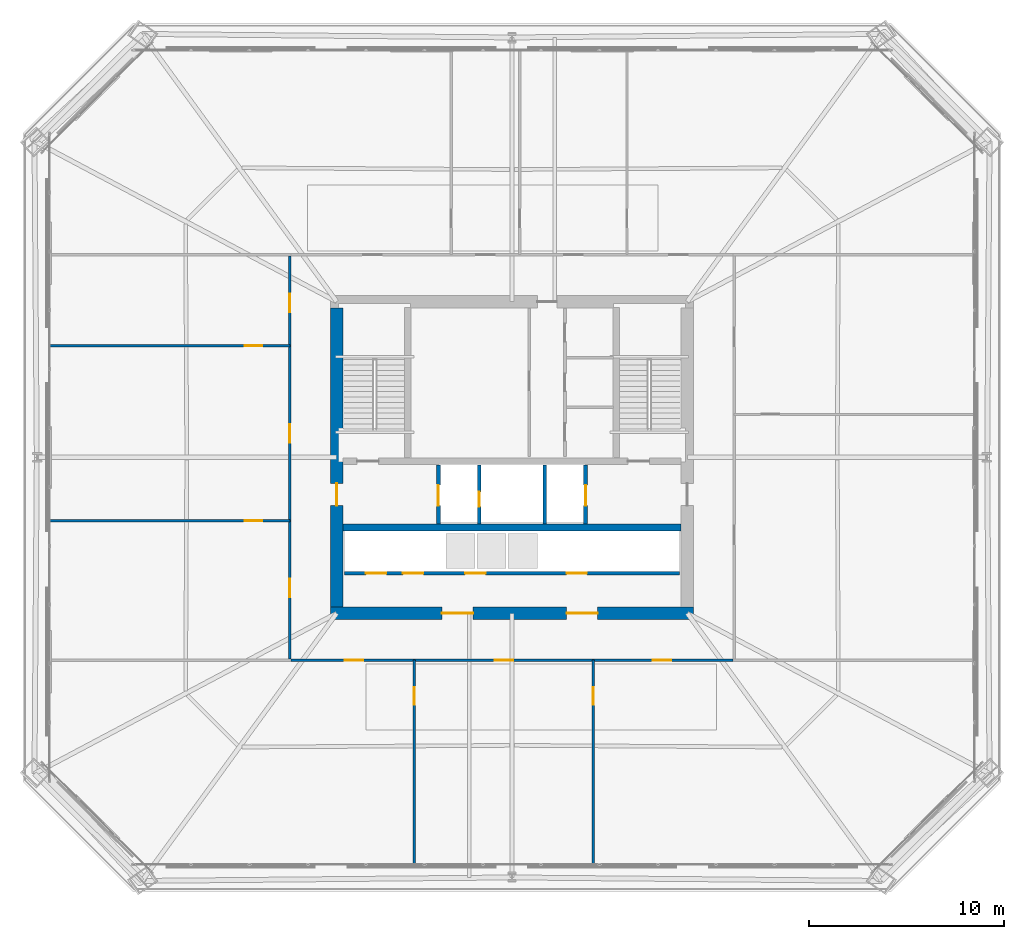
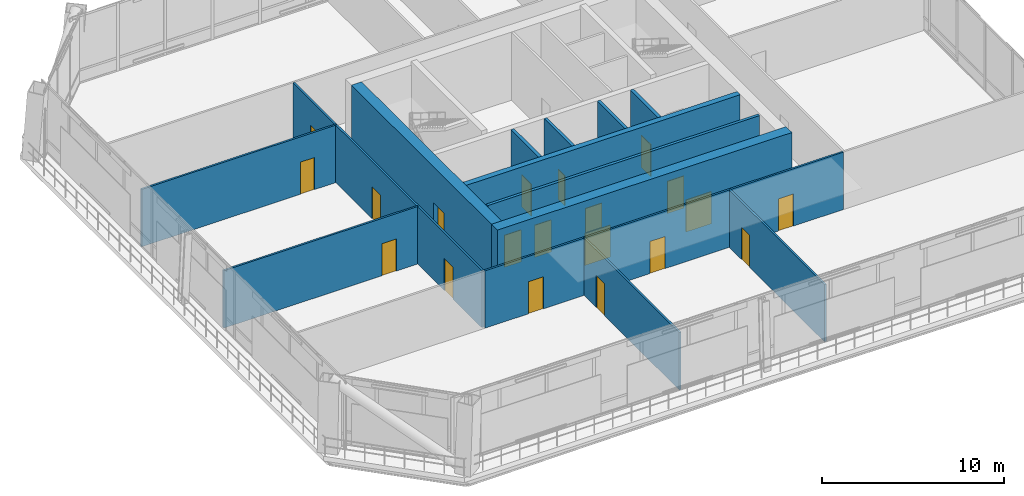
# One storey, part 42 of 48: 20 doors, 14 walls, 20 openings.
"""IFC4 building model written with IfcOpenShell, lengths in metres."""

from ifc_helpers import new_model, si_unit, direction, frame, frame_2d, origin, place, context, subcontext, project, spatial, rectangle, extrude, material, layer, layer_set, type_object, element, fill, save


model = new_model("IFC4")

# Units and contexts
model_context = context("Model", 3, precision=1e-05, world=origin(), true_north=direction((0.0, 1.0)))
body_context = subcontext(model_context, "Body", "Model", "MODEL_VIEW")
ifc_project = project(units=[si_unit("LENGTHUNIT", "METRE"), si_unit("AREAUNIT", "SQUARE_METRE"), si_unit("VOLUMEUNIT", "CUBIC_METRE"), si_unit("PLANEANGLEUNIT", "RADIAN"), si_unit("MASSUNIT", "GRAM", prefix="KILO")], contexts=[model_context])

# Site, building, storey
site_placement = place(None, origin())
site = spatial("IfcSite", under=ifc_project, at=site_placement, CompositionType="ELEMENT")
building_placement = place(site_placement, origin())
building = spatial("IfcBuilding", under=site, at=building_placement, Name="Caelvoria Tower", CompositionType="ELEMENT")
storey_placement = place(building_placement, frame((0.0, 0.0, 90.39990234375)))
storey = spatial("IfcBuildingStorey", under=building, at=storey_placement, Name="L23", CompositionType="ELEMENT", Elevation=90.39990234375)

# Wall
ifc_material_1 = material(Name="Concrete C50/60", Category="concrete")
ifc_layer_1 = layer(ifc_material_1, 0.35009765625, Name="Concrete C50/60")
ifc_layer_set_1 = layer_set([ifc_layer_1], Name="Core Internal Shear Wall 350 - Concrete C50/60")
wall_type_1 = type_object("IfcWallType", Name="Core Internal Shear Wall 350", PredefinedType="SHEAR", material=ifc_layer_set_1)
wall_1_placement = place(storey_placement, frame((37.324951171875, 28.39990234375, 0.0), z_axis=(0.0, 0.0, 1.0), x_axis=(1.0, 0.0, 0.0)))
element("IfcWall", 1, at=wall_1_placement, inside=storey, type_object=wall_type_1, Name="Core Shear Wall L23 M2", PredefinedType="SHEAR", context=body_context, shape_type="SweptSolid", body=[
    extrude(rectangle(XDim=17.35009765625, YDim=0.35009765625, at=frame_2d((8.675048828125, 0.0))), origin(), (0.0, 0.0, 1.0), 4.56005859375),
])

# Wall, opening, door
ifc_material_2 = material(Name="Concrete Block and Fireboard Assembly", Category="concrete")
ifc_layer_2 = layer(ifc_material_2, 0.179931640625, Name="Concrete Block and Fireboard Assembly")
ifc_layer_set_2 = layer_set([ifc_layer_2], Name="Fire-Rated Hoistway Partition Wall 180 - Concrete Block and Fireboard Assembly")
wall_type_2 = type_object("IfcWallType", Name="Fire-Rated Hoistway Partition Wall 180", PredefinedType="PARTITIONING", material=ifc_layer_set_2)
wall_2_placement = place(storey_placement, frame((44.320068359375, 28.580078125, 0.0), z_axis=(0.0, 0.0, 1.0), x_axis=(0.0, 1.0, 0.0)))
wall_2 = element("IfcWall", 2, at=wall_2_placement, inside=storey, type_object=wall_type_2, Name="Interior Partition IW-L23-SV1W", PredefinedType="PARTITIONING", context=body_context, shape_type="SweptSolid", body=[
    extrude(rectangle(XDim=3.0400390625, YDim=0.179931640625, at=frame_2d((1.52001953125, 0.0))), origin(), (0.0, 0.0, 1.0), 4.56005859375),
])
opening_1_placement = place(wall_2_placement, frame((0.89990234375, 0.0, 0.0)))
opening_1 = element("IfcOpeningElement", 3, at=opening_1_placement, cuts=wall_2, Name="Opening TD-01", PredefinedType="OPENING", context=body_context, shape_type="SweptSolid", body=[
    extrude(rectangle(XDim=0.75, YDim=2.0, at=frame_2d((0.375, 1.0))), frame((0.0, 0.099853515625, 0.0), z_axis=(0.0, -1.0, 0.0), x_axis=(1.0, 0.0, 0.0)), (0.0, 0.0, 1.0), 0.199951171875),
])
ifc_material_3 = material(Name="Insulated Steel Service Access Trapdoor", Category="steel")
door_type_1 = type_object("IfcDoorType", Name="Riser Maintenance Access Trapdoor 750x1850", OperationType="NOTDEFINED", PredefinedType="TRAPDOOR", material=ifc_material_3)
door_1_placement = place(opening_1_placement, origin())
door_1 = element("IfcDoor", 4, at=door_1_placement, inside=storey, type_object=door_type_1, Name="Wet Riser Access Trapdoor L23", OperationType="SINGLE_SWING_LEFT", OverallHeight=2.0, OverallWidth=0.75, PredefinedType="TRAPDOOR", context=body_context, shape_type="SweptSolid", body=[
    extrude(rectangle(XDim=0.75, YDim=2.0, at=frame_2d((0.375, 1.0))), frame((0.0, 0.02490234375, 0.0), z_axis=(0.0, -1.0, 0.0), x_axis=(1.0, 0.0, 0.0)), (0.0, 0.0, 1.0), 0.050048828125),
])
fill(opening_1, door_1)

# Wall
wall_3_placement = place(storey_placement, frame((47.679931640625, 28.580078125, 0.0), z_axis=(0.0, 0.0, 1.0), x_axis=(0.0, 1.0, 0.0)))
element("IfcWall", 5, at=wall_3_placement, inside=storey, type_object=wall_type_2, Name="Interior Partition IW-L23-SV1E", PredefinedType="PARTITIONING", context=body_context, shape_type="SweptSolid", body=[
    extrude(rectangle(XDim=3.0400390625, YDim=0.179931640625, at=frame_2d((1.52001953125, 0.0))), origin(), (0.0, 0.0, 1.0), 4.56005859375),
])

# Wall, openings, doors
wall_4_placement = place(storey_placement, frame((37.39990234375, 26.050048828125, 0.0), z_axis=(0.0, 0.0, 1.0), x_axis=(1.0, 0.0, 0.0)))
wall_4 = element("IfcWall", 6, at=wall_4_placement, inside=storey, type_object=wall_type_2, Name="Interior Partition IW-L23-LFRONT", PredefinedType="PARTITIONING", context=body_context, shape_type="SweptSolid", body=[
    extrude(rectangle(XDim=17.2001953125, YDim=0.179931640625, at=frame_2d((8.60009765625, 0.0))), origin(), (0.0, 0.0, 1.0), 4.56005859375),
])
opening_2_placement = place(wall_4_placement, frame((1.10009765625, 0.0, 0.0)))
opening_2 = element("IfcOpeningElement", 7, at=opening_2_placement, cuts=wall_4, Name="Opening LD-01", PredefinedType="OPENING", context=body_context, shape_type="SweptSolid", body=[
    extrude(rectangle(XDim=1.050048828125, YDim=2.14990234375, at=frame_2d((0.52490234375, 1.074951171875))), frame((0.0, 0.099853515625, 0.0), z_axis=(0.0, -1.0, 0.0), x_axis=(1.0, 0.0, 0.0)), (0.0, 0.0, 1.0), 0.199951171875),
])
opening_3_placement = place(wall_4_placement, frame((3.0, 0.0, 0.0)))
opening_3 = element("IfcOpeningElement", 8, at=opening_3_placement, cuts=wall_4, Name="Opening LD-01", PredefinedType="OPENING", context=body_context, shape_type="SweptSolid", body=[
    extrude(rectangle(XDim=1.050048828125, YDim=2.14990234375, at=frame_2d((0.52490234375, 1.074951171875))), frame((0.0, 0.099853515625, 0.0), z_axis=(0.0, -1.0, 0.0), x_axis=(1.0, 0.0, 0.0)), (0.0, 0.0, 1.0), 0.199951171875),
])
opening_4_placement = place(wall_4_placement, frame((11.39990234375, 0.0, 0.0)))
opening_4 = element("IfcOpeningElement", 9, at=opening_4_placement, cuts=wall_4, Name="Opening LD-01", PredefinedType="OPENING", context=body_context, shape_type="SweptSolid", body=[
    extrude(rectangle(XDim=1.050048828125, YDim=2.14990234375, at=frame_2d((0.52490234375, 1.074951171875))), frame((0.0, 0.099853515625, 0.0), z_axis=(0.0, -1.0, 0.0), x_axis=(1.0, 0.0, 0.0)), (0.0, 0.0, 1.0), 0.199951171875),
])
opening_5_placement = place(wall_4_placement, frame((6.199951171875, 0.0, 0.0)))
opening_5 = element("IfcOpeningElement", 10, at=opening_5_placement, cuts=wall_4, Name="Opening LD-01", PredefinedType="OPENING", context=body_context, shape_type="SweptSolid", body=[
    extrude(rectangle(XDim=1.050048828125, YDim=2.14990234375, at=frame_2d((0.52490234375, 1.074951171875))), frame((0.0, 0.099853515625, 0.0), z_axis=(0.0, -1.0, 0.0), x_axis=(1.0, 0.0, 0.0)), (0.0, 0.0, 1.0), 0.199951171875),
])
ifc_material_4 = material(Name="Brushed Bronze Stainless Sliding Landing Door", Category="aluminium")
door_type_2 = type_object("IfcDoorType", Name="Lift Landing Sliding Door 1100x2150", OperationType="NOTDEFINED", PredefinedType="DOOR", material=ifc_material_4)
door_2_placement = place(opening_2_placement, origin())
door_2 = element("IfcDoor", 11, at=door_2_placement, inside=storey, type_object=door_type_2, Name="Interior Door LD-L23-PL1", OperationType="SLIDING_TO_LEFT", OverallHeight=2.14990234375, OverallWidth=1.050048828125, PredefinedType="DOOR", context=body_context, shape_type="SweptSolid", body=[
    extrude(rectangle(XDim=1.050048828125, YDim=2.14990234375, at=frame_2d((0.52490234375, 1.074951171875))), frame((0.0, 0.02490234375, 0.0), z_axis=(0.0, -1.0, 0.0), x_axis=(1.0, 0.0, 0.0)), (0.0, 0.0, 1.0), 0.050048828125),
])
fill(opening_2, door_2)
door_3_placement = place(opening_3_placement, origin())
door_3 = element("IfcDoor", 12, at=door_3_placement, inside=storey, type_object=door_type_2, Name="Interior Door LD-L23-PL2", OperationType="SLIDING_TO_RIGHT", OverallHeight=2.14990234375, OverallWidth=1.050048828125, PredefinedType="DOOR", context=body_context, shape_type="SweptSolid", body=[
    extrude(rectangle(XDim=1.050048828125, YDim=2.14990234375, at=frame_2d((0.52490234375, 1.074951171875))), frame((0.0, 0.02490234375, 0.0), z_axis=(0.0, -1.0, 0.0), x_axis=(1.0, 0.0, 0.0)), (0.0, 0.0, 1.0), 0.050048828125),
])
fill(opening_3, door_3)
door_4_placement = place(opening_4_placement, origin())
door_4 = element("IfcDoor", 13, at=door_4_placement, inside=storey, type_object=door_type_2, Name="Interior Door LD-L23-PS1", OperationType="SLIDING_TO_LEFT", OverallHeight=2.14990234375, OverallWidth=1.050048828125, PredefinedType="DOOR", context=body_context, shape_type="SweptSolid", body=[
    extrude(rectangle(XDim=1.050048828125, YDim=2.14990234375, at=frame_2d((0.52490234375, 1.074951171875))), frame((0.0, 0.02490234375, 0.0), z_axis=(0.0, -1.0, 0.0), x_axis=(1.0, 0.0, 0.0)), (0.0, 0.0, 1.0), 0.050048828125),
])
fill(opening_4, door_4)
door_5_placement = place(opening_5_placement, origin())
door_5 = element("IfcDoor", 14, at=door_5_placement, inside=storey, type_object=door_type_2, Name="Interior Door LD-L23-PM1", OperationType="SLIDING_TO_LEFT", OverallHeight=2.14990234375, OverallWidth=1.050048828125, PredefinedType="DOOR", context=body_context, shape_type="SweptSolid", body=[
    extrude(rectangle(XDim=1.050048828125, YDim=2.14990234375, at=frame_2d((0.52490234375, 1.074951171875))), frame((0.0, 0.02490234375, 0.0), z_axis=(0.0, -1.0, 0.0), x_axis=(1.0, 0.0, 0.0)), (0.0, 0.0, 1.0), 0.050048828125),
])
fill(opening_5, door_5)

# Wall, opening, door
ifc_layer_3 = layer(ifc_material_2, 0.199951171875, Name="Concrete Block and Fireboard Assembly")
ifc_layer_set_3 = layer_set([ifc_layer_3], Name="Fire-Rated Shaft and Core Partition Wall 200 - Concrete Block and Fireboard Assembly")
wall_type_3 = type_object("IfcWallType", Name="Fire-Rated Shaft and Core Partition Wall 200", PredefinedType="PARTITIONING", material=ifc_layer_set_3)
wall_5_placement = place(storey_placement, frame((42.219970703125, 28.580078125, 0.0), z_axis=(0.0, 0.0, 1.0), x_axis=(0.0, 1.0, 0.0)))
wall_5 = element("IfcWall", 15, at=wall_5_placement, inside=storey, type_object=wall_type_3, Name="Interior Partition IW-L23-LF1W", PredefinedType="PARTITIONING", context=body_context, shape_type="SweptSolid", body=[
    extrude(rectangle(XDim=3.0400390625, YDim=0.199951171875, at=frame_2d((1.52001953125, 0.0))), origin(), (0.0, 0.0, 1.0), 4.56005859375),
])
opening_6_placement = place(wall_5_placement, frame((0.949951171875, 0.0, 0.0)))
opening_6 = element("IfcOpeningElement", 16, at=opening_6_placement, cuts=wall_5, Name="Opening LD-01", PredefinedType="OPENING", context=body_context, shape_type="SweptSolid", body=[
    extrude(rectangle(XDim=1.050048828125, YDim=2.14990234375, at=frame_2d((0.52490234375, 1.074951171875))), frame((0.0, 0.10986328125, 0.0), z_axis=(0.0, -1.0, 0.0), x_axis=(1.0, 0.0, 0.0)), (0.0, 0.0, 1.0), 0.219970703125),
])
door_6_placement = place(opening_6_placement, origin())
door_6 = element("IfcDoor", 17, at=door_6_placement, inside=storey, type_object=door_type_2, Name="Interior Door LD-L23-LF1", OperationType="SLIDING_TO_LEFT", OverallHeight=2.14990234375, OverallWidth=1.050048828125, PredefinedType="DOOR", context=body_context, shape_type="SweptSolid", body=[
    extrude(rectangle(XDim=1.050048828125, YDim=2.14990234375, at=frame_2d((0.52490234375, 1.074951171875))), frame((0.0, 0.02490234375, 0.0), z_axis=(0.0, -1.0, 0.0), x_axis=(1.0, 0.0, 0.0)), (0.0, 0.0, 1.0), 0.050048828125),
])
fill(opening_6, door_6)

wall_6_placement = place(storey_placement, frame((49.780029296875, 28.580078125, 0.0), z_axis=(0.0, 0.0, 1.0), x_axis=(0.0, 1.0, 0.0)))
wall_6 = element("IfcWall", 18, at=wall_6_placement, inside=storey, type_object=wall_type_3, Name="Interior Partition IW-L23-LF2E", PredefinedType="PARTITIONING", context=body_context, shape_type="SweptSolid", body=[
    extrude(rectangle(XDim=3.0400390625, YDim=0.199951171875, at=frame_2d((1.52001953125, 0.0))), origin(), (0.0, 0.0, 1.0), 4.56005859375),
])
opening_7_placement = place(wall_6_placement, frame((0.949951171875, 0.0, 0.0)))
opening_7 = element("IfcOpeningElement", 19, at=opening_7_placement, cuts=wall_6, Name="Opening LD-01", PredefinedType="OPENING", context=body_context, shape_type="SweptSolid", body=[
    extrude(rectangle(XDim=1.050048828125, YDim=2.14990234375, at=frame_2d((0.52490234375, 1.074951171875))), frame((0.0, 0.10986328125, 0.0), z_axis=(0.0, -1.0, 0.0), x_axis=(1.0, 0.0, 0.0)), (0.0, 0.0, 1.0), 0.219970703125),
])
door_7_placement = place(opening_7_placement, origin())
door_7 = element("IfcDoor", 20, at=door_7_placement, inside=storey, type_object=door_type_2, Name="Interior Door LD-L23-LF2", OperationType="SLIDING_TO_RIGHT", OverallHeight=2.14990234375, OverallWidth=1.050048828125, PredefinedType="DOOR", context=body_context, shape_type="SweptSolid", body=[
    extrude(rectangle(XDim=1.050048828125, YDim=2.14990234375, at=frame_2d((0.52490234375, 1.074951171875))), frame((0.0, 0.02490234375, 0.0), z_axis=(0.0, -1.0, 0.0), x_axis=(1.0, 0.0, 0.0)), (0.0, 0.0, 1.0), 0.050048828125),
])
fill(opening_7, door_7)

# Wall, openings, doors
ifc_material_5 = material(Name="Concrete C60/75", Category="concrete")
ifc_layer_4 = layer(ifc_material_5, 0.64990234375, Name="Concrete C60/75")
ifc_layer_set_4 = layer_set([ifc_layer_4], Name="Lower Core Shear Wall 650 - Concrete C60/75")
wall_type_4 = type_object("IfcWallType", Name="Lower Core Shear Wall 650", PredefinedType="SHEAR", material=ifc_layer_set_4)
wall_7_placement = place(storey_placement, frame((36.675048828125, 24.0, 0.0), z_axis=(0.0, 0.0, 1.0), x_axis=(1.0, 0.0, 0.0)))
wall_7 = element("IfcWall", 21, at=wall_7_placement, inside=storey, type_object=wall_type_4, Name="Core Shear Wall L23 S", PredefinedType="SHEAR", context=body_context, shape_type="SweptSolid", body=[
    extrude(rectangle(XDim=18.64990234375, YDim=0.64990234375, at=frame_2d((9.324951171875, 0.0))), origin(), (0.0, 0.0, 1.0), 4.56005859375),
])
opening_8_placement = place(wall_7_placement, frame((5.72509765625, 0.0, 0.0)))
opening_8 = element("IfcOpeningElement", 22, at=opening_8_placement, cuts=wall_7, Name="Opening ID-08", PredefinedType="OPENING", context=body_context, shape_type="SweptSolid", body=[
    extrude(rectangle(XDim=1.60009765625, YDim=2.14990234375, at=frame_2d((0.800048828125, 1.074951171875))), frame((0.0, 0.3349609375, 0.0), z_axis=(0.0, -1.0, 0.0), x_axis=(1.0, 0.0, 0.0)), (0.0, 0.0, 1.0), 0.669921875),
])
opening_9_placement = place(wall_7_placement, frame((12.125, 0.0, 0.0)))
opening_9 = element("IfcOpeningElement", 23, at=opening_9_placement, cuts=wall_7, Name="Opening ID-08", PredefinedType="OPENING", context=body_context, shape_type="SweptSolid", body=[
    extrude(rectangle(XDim=1.60009765625, YDim=2.14990234375, at=frame_2d((0.800048828125, 1.074951171875))), frame((0.0, 0.3349609375, 0.0), z_axis=(0.0, -1.0, 0.0), x_axis=(1.0, 0.0, 0.0)), (0.0, 0.0, 1.0), 0.669921875),
])
ifc_material_6 = material(Name="Bronze-Framed Fire-Rated Glazed Double Door", Category="aluminium")
door_type_3 = type_object("IfcDoorType", Name="Double Lobby Glazed Door 1600x2200", OperationType="NOTDEFINED", PredefinedType="DOOR", material=ifc_material_6)
door_8_placement = place(opening_8_placement, origin())
door_8 = element("IfcDoor", 24, at=door_8_placement, inside=storey, type_object=door_type_3, Name="Core Door DR-L23-LLOB-S1", OperationType="DOUBLE_DOOR_SINGLE_SWING", OverallHeight=2.14990234375, OverallWidth=1.60009765625, PredefinedType="DOOR", context=body_context, shape_type="SweptSolid", body=[
    extrude(rectangle(XDim=1.60009765625, YDim=2.14990234375, at=frame_2d((0.800048828125, 1.074951171875))), frame((0.0, 0.02490234375, 0.0), z_axis=(0.0, -1.0, 0.0), x_axis=(1.0, 0.0, 0.0)), (0.0, 0.0, 1.0), 0.050048828125),
])
fill(opening_8, door_8)
door_9_placement = place(opening_9_placement, origin())
door_9 = element("IfcDoor", 25, at=door_9_placement, inside=storey, type_object=door_type_3, Name="Core Door DR-L23-LLOB-S2", OperationType="DOUBLE_DOOR_SINGLE_SWING", OverallHeight=2.14990234375, OverallWidth=1.60009765625, PredefinedType="DOOR", context=body_context, shape_type="SweptSolid", body=[
    extrude(rectangle(XDim=1.60009765625, YDim=2.14990234375, at=frame_2d((0.800048828125, 1.074951171875))), frame((0.0, 0.02490234375, 0.0), z_axis=(0.0, -1.0, 0.0), x_axis=(1.0, 0.0, 0.0)), (0.0, 0.0, 1.0), 0.050048828125),
])
fill(opening_9, door_9)

# Wall, opening, door
wall_8_placement = place(storey_placement, frame((37.0, 24.324951171875, 0.0), z_axis=(0.0, 0.0, 1.0), x_axis=(0.0, 1.0, 0.0)))
wall_8 = element("IfcWall", 26, at=wall_8_placement, inside=storey, type_object=wall_type_4, Name="Core Shear Wall L23 W", PredefinedType="SHEAR", context=body_context, shape_type="SweptSolid", body=[
    extrude(rectangle(XDim=15.35009765625, YDim=0.64990234375, at=frame_2d((7.675048828125, 0.0))), origin(), (0.0, 0.0, 1.0), 4.56005859375),
])
opening_10_placement = place(wall_8_placement, frame((5.199951171875, 0.0, 0.0)))
opening_10 = element("IfcOpeningElement", 27, at=opening_10_placement, cuts=wall_8, Name="Opening ID-02", PredefinedType="OPENING", context=body_context, shape_type="SweptSolid", body=[
    extrude(rectangle(XDim=1.14990234375, YDim=2.14990234375, at=frame_2d((0.574951171875, 1.074951171875))), frame((0.0, 0.3349609375, 0.0), z_axis=(0.0, -1.0, 0.0), x_axis=(1.0, 0.0, 0.0)), (0.0, 0.0, 1.0), 0.669921875),
])
ifc_material_7 = material(Name="Painted Hollow Steel Fire Door", Category="steel")
door_type_4 = type_object("IfcDoorType", Name="Fire Door FD60S 1150x2150", OperationType="NOTDEFINED", PredefinedType="DOOR", material=ifc_material_7)
door_10_placement = place(opening_10_placement, origin())
door_10 = element("IfcDoor", 28, at=door_10_placement, inside=storey, type_object=door_type_4, Name="Core Door DR-L23-FFLW-OUT", OperationType="SINGLE_SWING_LEFT", OverallHeight=2.14990234375, OverallWidth=1.14990234375, PredefinedType="DOOR", context=body_context, shape_type="SweptSolid", body=[
    extrude(rectangle(XDim=1.14990234375, YDim=2.14990234375, at=frame_2d((0.574951171875, 1.074951171875))), frame((0.0, 0.02490234375, 0.0), z_axis=(0.0, -1.0, 0.0), x_axis=(1.0, 0.0, 0.0)), (0.0, 0.0, 1.0), 0.050048828125),
])
fill(opening_10, door_10)

ifc_material_8 = material(Name="Acoustic Timber-Clad Operable Panel", Category="wood")
ifc_layer_5 = layer(ifc_material_8, 0.125, Name="Acoustic Timber-Clad Operable Panel")
ifc_layer_set_5 = layer_set([ifc_layer_5], Name="Operable Acoustic Folding Partition Wall 125 - Acoustic Timber-Clad Operable Panel")
wall_type_5 = type_object("IfcWallType", Name="Operable Acoustic Folding Partition Wall 125", PredefinedType="MOVABLE", material=ifc_layer_set_5)
wall_9_placement = place(storey_placement, frame((40.98388671875, 21.590087890625, 0.0), z_axis=(0.0, 0.0, 1.0), x_axis=(0.0, -1.0, 0.0)))
wall_9 = element("IfcWall", 29, at=wall_9_placement, inside=storey, type_object=wall_type_5, Name="Interior Partition IW-L23-SD-00-0", PredefinedType="MOVABLE", context=body_context, shape_type="SweptSolid", body=[
    extrude(rectangle(XDim=10.493408203125, YDim=0.1201171875, at=frame_2d((5.24658203125, 0.0))), origin(), (0.0, 0.0, 1.0), 3.840087890625),
])
opening_11_placement = place(wall_9_placement, frame((1.39990234375, 0.0, 0.0)))
opening_11 = element("IfcOpeningElement", 30, at=opening_11_placement, cuts=wall_9, Name="Opening ID-06", PredefinedType="OPENING", context=body_context, shape_type="SweptSolid", body=[
    extrude(rectangle(XDim=0.89990234375, YDim=2.14990234375, at=frame_2d((0.449951171875, 1.074951171875))), frame((0.0, 0.070068359375, 0.0), z_axis=(0.0, -1.0, 0.0), x_axis=(1.0, 0.0, 0.0)), (0.0, 0.0, 1.0), 0.14013671875),
])
ifc_material_9 = material(Name="Engineered Andean Oak Veneer Door", Category="wood")
door_type_5 = type_object("IfcDoorType", Name="Interior Timber Door 900x2150", OperationType="NOTDEFINED", PredefinedType="DOOR", material=ifc_material_9)
door_11_placement = place(opening_11_placement, origin())
door_11 = element("IfcDoor", 31, at=door_11_placement, inside=storey, type_object=door_type_5, Name="Interior Door DR-L23-SM-00-0", OperationType="SINGLE_SWING_RIGHT", OverallHeight=2.14990234375, OverallWidth=0.89990234375, PredefinedType="DOOR", context=body_context, shape_type="SweptSolid", body=[
    extrude(rectangle(XDim=0.89990234375, YDim=2.14990234375, at=frame_2d((0.449951171875, 1.074951171875))), frame((0.0, 0.02490234375, 0.0), z_axis=(0.0, -1.0, 0.0), x_axis=(1.0, 0.0, 0.0)), (0.0, 0.0, 1.0), 0.050048828125),
])
fill(opening_11, door_11)

ifc_material_10 = material(Name="Acoustic Gypsum Board on Light-Gauge Stud", Category="gypsum")
ifc_layer_6 = layer(ifc_material_10, 0.1201171875, Name="Acoustic Gypsum Board on Light-Gauge Stud")
ifc_layer_set_6 = layer_set([ifc_layer_6], Name="Tenant Suite Acoustic Partition Wall 120 - Acoustic Gypsum Board on Light-Gauge Stud")
wall_type_6 = type_object("IfcWallType", Name="Tenant Suite Acoustic Partition Wall 120", PredefinedType="PARTITIONING", material=ifc_layer_set_6)
wall_10_placement = place(storey_placement, frame((50.177490234375, 21.590087890625, 0.0), z_axis=(0.0, 0.0, 1.0), x_axis=(0.0, -1.0, 0.0)))
wall_10 = element("IfcWall", 32, at=wall_10_placement, inside=storey, type_object=wall_type_6, Name="Interior Partition IW-L23-SD-01-0", PredefinedType="PARTITIONING", context=body_context, shape_type="SweptSolid", body=[
    extrude(rectangle(XDim=10.493408203125, YDim=0.1201171875, at=frame_2d((5.24658203125, 0.0))), origin(), (0.0, 0.0, 1.0), 3.840087890625),
])
opening_12_placement = place(wall_10_placement, frame((1.39990234375, 0.0, 0.0)))
opening_12 = element("IfcOpeningElement", 33, at=opening_12_placement, cuts=wall_10, Name="Opening ID-06", PredefinedType="OPENING", context=body_context, shape_type="SweptSolid", body=[
    extrude(rectangle(XDim=0.89990234375, YDim=2.14990234375, at=frame_2d((0.449951171875, 1.074951171875))), frame((0.0, 0.070068359375, 0.0), z_axis=(0.0, -1.0, 0.0), x_axis=(1.0, 0.0, 0.0)), (0.0, 0.0, 1.0), 0.14013671875),
])
door_12_placement = place(opening_12_placement, origin())
door_12 = element("IfcDoor", 34, at=door_12_placement, inside=storey, type_object=door_type_5, Name="Interior Door DR-L23-SM-01-0", OperationType="SINGLE_SWING_LEFT", OverallHeight=2.14990234375, OverallWidth=0.89990234375, PredefinedType="DOOR", context=body_context, shape_type="SweptSolid", body=[
    extrude(rectangle(XDim=0.89990234375, YDim=2.14990234375, at=frame_2d((0.449951171875, 1.074951171875))), frame((0.0, 0.02490234375, 0.0), z_axis=(0.0, -1.0, 0.0), x_axis=(1.0, 0.0, 0.0)), (0.0, 0.0, 1.0), 0.050048828125),
])
fill(opening_12, door_12)

# Wall, openings, doors
wall_11_placement = place(storey_placement, frame((34.64990234375, 21.590087890625, 0.0), z_axis=(0.0, 0.0, 1.0), x_axis=(1.0, 0.0, 0.0)))
wall_11 = element("IfcWall", 35, at=wall_11_placement, inside=storey, type_object=wall_type_6, Name="Interior Partition IW-L23-SCW-0", PredefinedType="PARTITIONING", context=body_context, shape_type="SweptSolid", body=[
    extrude(rectangle(XDim=22.7001953125, YDim=0.1201171875, at=frame_2d((11.35009765625, 0.0))), origin(), (0.0, 0.0, 1.0), 3.840087890625),
])
opening_13_placement = place(wall_11_placement, frame((2.761962890625, 0.0, 0.0)))
opening_13 = element("IfcOpeningElement", 36, at=opening_13_placement, cuts=wall_11, Name="Opening ID-05", PredefinedType="OPENING", context=body_context, shape_type="SweptSolid", body=[
    extrude(rectangle(XDim=0.949951171875, YDim=2.14990234375, at=frame_2d((0.47509765625, 1.074951171875))), frame((0.0, 0.070068359375, 0.0), z_axis=(0.0, -1.0, 0.0), x_axis=(1.0, 0.0, 0.0)), (0.0, 0.0, 1.0), 0.14013671875),
])
opening_14_placement = place(wall_11_placement, frame((10.45556640625, 0.0, 0.0)))
opening_14 = element("IfcOpeningElement", 37, at=opening_14_placement, cuts=wall_11, Name="Opening ID-05", PredefinedType="OPENING", context=body_context, shape_type="SweptSolid", body=[
    extrude(rectangle(XDim=0.949951171875, YDim=2.14990234375, at=frame_2d((0.47509765625, 1.074951171875))), frame((0.0, 0.070068359375, 0.0), z_axis=(0.0, -1.0, 0.0), x_axis=(1.0, 0.0, 0.0)), (0.0, 0.0, 1.0), 0.14013671875),
])
opening_15_placement = place(wall_11_placement, frame((18.568603515625, 0.0, 0.0)))
opening_15 = element("IfcOpeningElement", 38, at=opening_15_placement, cuts=wall_11, Name="Opening ID-05", PredefinedType="OPENING", context=body_context, shape_type="SweptSolid", body=[
    extrude(rectangle(XDim=0.949951171875, YDim=2.14990234375, at=frame_2d((0.47509765625, 1.074951171875))), frame((0.0, 0.070068359375, 0.0), z_axis=(0.0, -1.0, 0.0), x_axis=(1.0, 0.0, 0.0)), (0.0, 0.0, 1.0), 0.14013671875),
])
door_type_6 = type_object("IfcDoorType", Name="Interior Timber Door 950x2150", OperationType="NOTDEFINED", PredefinedType="DOOR", material=ifc_material_9)
door_13_placement = place(opening_13_placement, origin())
door_13 = element("IfcDoor", 39, at=door_13_placement, inside=storey, type_object=door_type_6, Name="Interior Door DR-L23-SC-00-0", OperationType="SINGLE_SWING_RIGHT", OverallHeight=2.14990234375, OverallWidth=0.949951171875, PredefinedType="DOOR", context=body_context, shape_type="SweptSolid", body=[
    extrude(rectangle(XDim=0.949951171875, YDim=2.14990234375, at=frame_2d((0.47509765625, 1.074951171875))), frame((0.0, 0.02490234375, 0.0), z_axis=(0.0, -1.0, 0.0), x_axis=(1.0, 0.0, 0.0)), (0.0, 0.0, 1.0), 0.050048828125),
])
fill(opening_13, door_13)
door_14_placement = place(opening_14_placement, origin())
door_14 = element("IfcDoor", 40, at=door_14_placement, inside=storey, type_object=door_type_6, Name="Interior Door DR-L23-SC-01-0", OperationType="SINGLE_SWING_LEFT", OverallHeight=2.14990234375, OverallWidth=0.949951171875, PredefinedType="DOOR", context=body_context, shape_type="SweptSolid", body=[
    extrude(rectangle(XDim=0.949951171875, YDim=2.14990234375, at=frame_2d((0.47509765625, 1.074951171875))), frame((0.0, 0.02490234375, 0.0), z_axis=(0.0, -1.0, 0.0), x_axis=(1.0, 0.0, 0.0)), (0.0, 0.0, 1.0), 0.050048828125),
])
fill(opening_14, door_14)
door_15_placement = place(opening_15_placement, origin())
door_15 = element("IfcDoor", 41, at=door_15_placement, inside=storey, type_object=door_type_6, Name="Interior Door DR-L23-SC-02-0", OperationType="SINGLE_SWING_RIGHT", OverallHeight=2.14990234375, OverallWidth=0.949951171875, PredefinedType="DOOR", context=body_context, shape_type="SweptSolid", body=[
    extrude(rectangle(XDim=0.949951171875, YDim=2.14990234375, at=frame_2d((0.47509765625, 1.074951171875))), frame((0.0, 0.02490234375, 0.0), z_axis=(0.0, -1.0, 0.0), x_axis=(1.0, 0.0, 0.0)), (0.0, 0.0, 1.0), 0.050048828125),
])
fill(opening_15, door_15)

# Wall, opening, door
wall_12_placement = place(storey_placement, frame((34.590087890625, 28.751708984375, 0.0), z_axis=(0.0, 0.0, 1.0), x_axis=(-1.0, 0.0, 0.0)))
wall_12 = element("IfcWall", 42, at=wall_12_placement, inside=storey, type_object=wall_type_6, Name="Interior Partition IW-L23-WD-00-0", PredefinedType="PARTITIONING", context=body_context, shape_type="SweptSolid", body=[
    extrude(rectangle(XDim=12.326904296875, YDim=0.1201171875, at=frame_2d((6.16357421875, 0.0))), origin(), (0.0, 0.0, 1.0), 3.840087890625),
])
opening_16_placement = place(wall_12_placement, frame((1.39990234375, 0.0, 0.0)))
opening_16 = element("IfcOpeningElement", 43, at=opening_16_placement, cuts=wall_12, Name="Opening ID-06", PredefinedType="OPENING", context=body_context, shape_type="SweptSolid", body=[
    extrude(rectangle(XDim=0.89990234375, YDim=2.14990234375, at=frame_2d((0.449951171875, 1.074951171875))), frame((0.0, 0.070068359375, 0.0), z_axis=(0.0, -1.0, 0.0), x_axis=(1.0, 0.0, 0.0)), (0.0, 0.0, 1.0), 0.14013671875),
])
door_16_placement = place(opening_16_placement, origin())
door_16 = element("IfcDoor", 44, at=door_16_placement, inside=storey, type_object=door_type_5, Name="Interior Door DR-L23-WM-00-0", OperationType="SINGLE_SWING_RIGHT", OverallHeight=2.14990234375, OverallWidth=0.89990234375, PredefinedType="DOOR", context=body_context, shape_type="SweptSolid", body=[
    extrude(rectangle(XDim=0.89990234375, YDim=2.14990234375, at=frame_2d((0.449951171875, 1.074951171875))), frame((0.0, 0.02490234375, 0.0), z_axis=(0.0, -1.0, 0.0), x_axis=(1.0, 0.0, 0.0)), (0.0, 0.0, 1.0), 0.050048828125),
])
fill(opening_16, door_16)

wall_13_placement = place(storey_placement, frame((34.590087890625, 37.73046875, 0.0), z_axis=(0.0, 0.0, 1.0), x_axis=(-1.0, 0.0, 0.0)))
wall_13 = element("IfcWall", 45, at=wall_13_placement, inside=storey, type_object=wall_type_6, Name="Interior Partition IW-L23-WD-01-0", PredefinedType="PARTITIONING", context=body_context, shape_type="SweptSolid", body=[
    extrude(rectangle(XDim=12.326904296875, YDim=0.1201171875, at=frame_2d((6.16357421875, 0.0))), origin(), (0.0, 0.0, 1.0), 3.840087890625),
])
opening_17_placement = place(wall_13_placement, frame((1.39990234375, 0.0, 0.0)))
opening_17 = element("IfcOpeningElement", 46, at=opening_17_placement, cuts=wall_13, Name="Opening ID-06", PredefinedType="OPENING", context=body_context, shape_type="SweptSolid", body=[
    extrude(rectangle(XDim=0.89990234375, YDim=2.14990234375, at=frame_2d((0.449951171875, 1.074951171875))), frame((0.0, 0.070068359375, 0.0), z_axis=(0.0, -1.0, 0.0), x_axis=(1.0, 0.0, 0.0)), (0.0, 0.0, 1.0), 0.14013671875),
])
door_17_placement = place(opening_17_placement, origin())
door_17 = element("IfcDoor", 47, at=door_17_placement, inside=storey, type_object=door_type_5, Name="Interior Door DR-L23-WM-01-0", OperationType="SINGLE_SWING_LEFT", OverallHeight=2.14990234375, OverallWidth=0.89990234375, PredefinedType="DOOR", context=body_context, shape_type="SweptSolid", body=[
    extrude(rectangle(XDim=0.89990234375, YDim=2.14990234375, at=frame_2d((0.449951171875, 1.074951171875))), frame((0.0, 0.02490234375, 0.0), z_axis=(0.0, -1.0, 0.0), x_axis=(1.0, 0.0, 0.0)), (0.0, 0.0, 1.0), 0.050048828125),
])
fill(opening_17, door_17)

# Wall, openings, doors
wall_14_placement = place(storey_placement, frame((34.590087890625, 21.64990234375, 0.0), z_axis=(0.0, 0.0, 1.0), x_axis=(0.0, 1.0, 0.0)))
wall_14 = element("IfcWall", 48, at=wall_14_placement, inside=storey, type_object=wall_type_6, Name="Interior Partition IW-L23-WCW-0", PredefinedType="PARTITIONING", context=body_context, shape_type="SweptSolid", body=[
    extrude(rectangle(XDim=20.7001953125, YDim=0.1201171875, at=frame_2d((10.35009765625, 0.0))), origin(), (0.0, 0.0, 1.0), 3.840087890625),
])
opening_18_placement = place(wall_14_placement, frame((3.17578125, 0.0, 0.0)))
opening_18 = element("IfcOpeningElement", 49, at=opening_18_placement, cuts=wall_14, Name="Opening ID-05", PredefinedType="OPENING", context=body_context, shape_type="SweptSolid", body=[
    extrude(rectangle(XDim=0.949951171875, YDim=2.14990234375, at=frame_2d((0.47509765625, 1.074951171875))), frame((0.0, 0.070068359375, 0.0), z_axis=(0.0, -1.0, 0.0), x_axis=(1.0, 0.0, 0.0)), (0.0, 0.0, 1.0), 0.14013671875),
])
opening_19_placement = place(wall_14_placement, frame((11.115966796875, 0.0, 0.0)))
opening_19 = element("IfcOpeningElement", 50, at=opening_19_placement, cuts=wall_14, Name="Opening ID-05", PredefinedType="OPENING", context=body_context, shape_type="SweptSolid", body=[
    extrude(rectangle(XDim=0.949951171875, YDim=2.14990234375, at=frame_2d((0.47509765625, 1.074951171875))), frame((0.0, 0.070068359375, 0.0), z_axis=(0.0, -1.0, 0.0), x_axis=(1.0, 0.0, 0.0)), (0.0, 0.0, 1.0), 0.14013671875),
])
opening_20_placement = place(wall_14_placement, frame((17.815185546875, 0.0, 0.0)))
opening_20 = element("IfcOpeningElement", 51, at=opening_20_placement, cuts=wall_14, Name="Opening ID-05", PredefinedType="OPENING", context=body_context, shape_type="SweptSolid", body=[
    extrude(rectangle(XDim=0.949951171875, YDim=2.14990234375, at=frame_2d((0.47509765625, 1.074951171875))), frame((0.0, 0.070068359375, 0.0), z_axis=(0.0, -1.0, 0.0), x_axis=(1.0, 0.0, 0.0)), (0.0, 0.0, 1.0), 0.14013671875),
])
door_18_placement = place(opening_18_placement, origin())
door_18 = element("IfcDoor", 52, at=door_18_placement, inside=storey, type_object=door_type_6, Name="Interior Door DR-L23-WC-00-0", OperationType="SINGLE_SWING_RIGHT", OverallHeight=2.14990234375, OverallWidth=0.949951171875, PredefinedType="DOOR", context=body_context, shape_type="SweptSolid", body=[
    extrude(rectangle(XDim=0.949951171875, YDim=2.14990234375, at=frame_2d((0.47509765625, 1.074951171875))), frame((0.0, 0.02490234375, 0.0), z_axis=(0.0, -1.0, 0.0), x_axis=(1.0, 0.0, 0.0)), (0.0, 0.0, 1.0), 0.050048828125),
])
fill(opening_18, door_18)
door_19_placement = place(opening_19_placement, origin())
door_19 = element("IfcDoor", 53, at=door_19_placement, inside=storey, type_object=door_type_6, Name="Interior Door DR-L23-WC-01-0", OperationType="SINGLE_SWING_LEFT", OverallHeight=2.14990234375, OverallWidth=0.949951171875, PredefinedType="DOOR", context=body_context, shape_type="SweptSolid", body=[
    extrude(rectangle(XDim=0.949951171875, YDim=2.14990234375, at=frame_2d((0.47509765625, 1.074951171875))), frame((0.0, 0.02490234375, 0.0), z_axis=(0.0, -1.0, 0.0), x_axis=(1.0, 0.0, 0.0)), (0.0, 0.0, 1.0), 0.050048828125),
])
fill(opening_19, door_19)
door_20_placement = place(opening_20_placement, origin())
door_20 = element("IfcDoor", 54, at=door_20_placement, inside=storey, type_object=door_type_6, Name="Interior Door DR-L23-WC-02-0", OperationType="SINGLE_SWING_RIGHT", OverallHeight=2.14990234375, OverallWidth=0.949951171875, PredefinedType="DOOR", context=body_context, shape_type="SweptSolid", body=[
    extrude(rectangle(XDim=0.949951171875, YDim=2.14990234375, at=frame_2d((0.47509765625, 1.074951171875))), frame((0.0, 0.02490234375, 0.0), z_axis=(0.0, -1.0, 0.0), x_axis=(1.0, 0.0, 0.0)), (0.0, 0.0, 1.0), 0.050048828125),
])
fill(opening_20, door_20)

save(model, "model.ifc")
